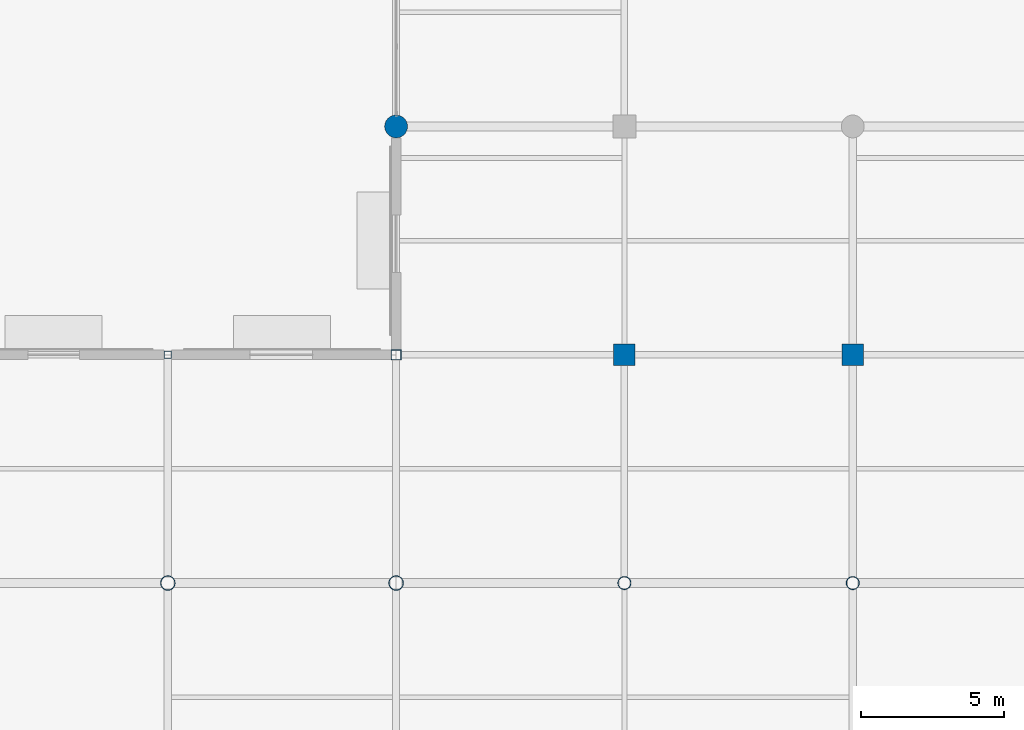
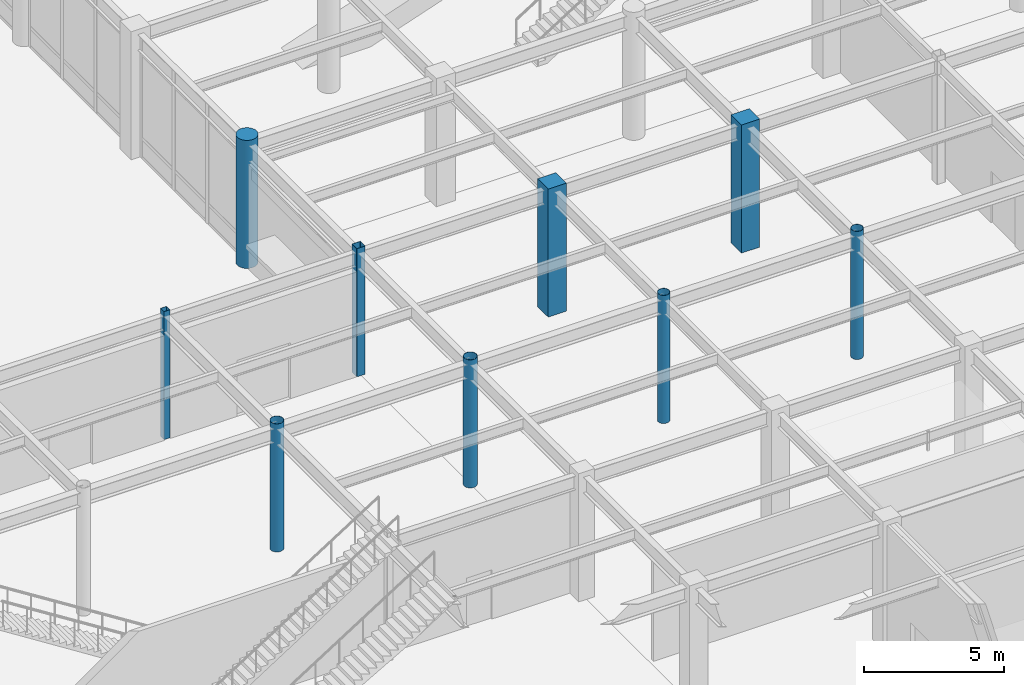
# One storey, part 9 of 128: 9 columns.
"""IFC4 building model written with IfcOpenShell, lengths in metres."""

from ifc_helpers import new_model, si_unit, direction, frame, origin, origin_2d, place, context, subcontext, project, spatial, rectangle, hollow_rectangle, circle, hollow_circle, extrude, material, material_profile, profile_set, type_object, element, save


model = new_model("IFC4")

# Units and contexts
model_context = context("Model", 3, precision=1e-05, world=origin(), true_north=direction((0.0, 1.0)))
body_context = subcontext(model_context, "Body", "Model", "MODEL_VIEW")
ifc_project = project(units=[si_unit("LENGTHUNIT", "METRE"), si_unit("AREAUNIT", "SQUARE_METRE"), si_unit("VOLUMEUNIT", "CUBIC_METRE"), si_unit("PLANEANGLEUNIT", "RADIAN"), si_unit("MASSUNIT", "GRAM", prefix="KILO")], contexts=[model_context])

# Site, building, storey
site_placement = place(None, origin())
site = spatial("IfcSite", under=ifc_project, at=site_placement, CompositionType="ELEMENT")
building_placement = place(site_placement, origin())
building = spatial("IfcBuilding", under=site, at=building_placement, Name="Solmirada Galleria", CompositionType="ELEMENT")
storey_placement = place(building_placement, origin())
storey = spatial("IfcBuildingStorey", under=building, at=storey_placement, Name="L00", CompositionType="ELEMENT", Elevation=0.0)

# Columns
ifc_material_1 = material(Name="Steel S355 / ASTM A500 Grade C", Category="steel")
ifc_material_profile_1 = material_profile(ifc_material_1, hollow_circle(Radius=0.228515625, WallThickness=0.01171875, at=origin_2d()), Name="HSS18.000X0.500")
ifc_profile_set_1 = profile_set([ifc_material_profile_1], Name="Steel S355 / ASTM A500 Grade C")
column_type_1 = type_object("IfcColumnType", Name="COL-CHS18", PredefinedType="COLUMN", material=ifc_profile_set_1)
for number, where, z_axis, x_axis, name in (
    (1, (88.0, 32.0, 0.0), (0.0, 0.0, 1.0), (1.0, 0.0, 0.0), "Structural column L00-0495"),
    (2, (96.0, 32.0, 0.0), (0.0, 0.0, 1.0), (1.0, 0.0, 0.0), "Structural column L00-0617"),
):
    element("IfcColumn", number, at=place(storey_placement, frame(where, z_axis=z_axis, x_axis=x_axis)), inside=storey, type_object=column_type_1, Name=name, PredefinedType="COLUMN", context=body_context, shape_type="SweptSolid", body=[
        extrude(hollow_circle(Radius=0.228515625, WallThickness=0.01171875, at=origin_2d()), origin(), (0.0, 0.0, 1.0), 5.60009765625),
    ])
ifc_material_profile_2 = material_profile(ifc_material_1, hollow_circle(Radius=0.25390625, WallThickness=0.01171875, at=origin_2d()), Name="HSS20.000X0.500")
ifc_profile_set_2 = profile_set([ifc_material_profile_2], Name="Steel S355 / ASTM A500 Grade C")
column_type_2 = type_object("IfcColumnType", Name="COL-CHS20", PredefinedType="COLUMN", material=ifc_profile_set_2)
for number, where, z_axis, x_axis, name in (
    (3, (72.0, 32.0, 0.0), (0.0, 0.0, 1.0), (1.0, 0.0, 0.0), "Structural column L00-0291"),
    (4, (80.0, 32.0, 0.0), (0.0, 0.0, 1.0), (1.0, 0.0, 0.0), "Structural column L00-0377"),
):
    element("IfcColumn", number, at=place(storey_placement, frame(where, z_axis=z_axis, x_axis=x_axis)), inside=storey, type_object=column_type_2, Name=name, PredefinedType="COLUMN", context=body_context, shape_type="SweptSolid", body=[
        extrude(hollow_circle(Radius=0.25390625, WallThickness=0.01171875, at=origin_2d()), origin(), (0.0, 0.0, 1.0), 5.60009765625),
    ])
ifc_material_2 = material(Name="Concrete C40/50", Category="concrete")
ifc_material_profile_3 = material_profile(ifc_material_2, circle(Radius=0.39990234375, at=origin_2d()), Name="RCCOL800")
ifc_profile_set_3 = profile_set([ifc_material_profile_3], Name="Concrete C40/50")
column_type_3 = type_object("IfcColumnType", Name="COL-CIR800", PredefinedType="COLUMN", material=ifc_profile_set_3)
column_1_placement = place(storey_placement, frame((80.0, 48.0, 0.0), z_axis=(0.0, 0.0, 1.0), x_axis=(1.0, 0.0, 0.0)))
element("IfcColumn", 5, at=column_1_placement, inside=storey, type_object=column_type_3, Name="Structural column L00-0388", PredefinedType="COLUMN", context=body_context, shape_type="SweptSolid", body=[
    extrude(circle(Radius=0.39990234375, at=origin_2d()), origin(), (0.0, 0.0, 1.0), 5.60009765625),
])
ifc_material_profile_4 = material_profile(ifc_material_1, hollow_rectangle(XDim=0.25390625, YDim=0.25390625, WallThickness=0.0087890625, InnerFilletRadius=0.0087890625, OuterFilletRadius=0.017822265625, at=origin_2d()), Name="HSS10X10X3/8")
ifc_profile_set_4 = profile_set([ifc_material_profile_4], Name="Steel S355 / ASTM A500 Grade C")
column_type_4 = type_object("IfcColumnType", Name="COL-HSS10", PredefinedType="COLUMN", material=ifc_profile_set_4)
column_2_placement = place(storey_placement, frame((72.0, 40.0, 0.0), z_axis=(0.0, 0.0, 1.0), x_axis=(1.0, 0.0, 0.0)))
element("IfcColumn", 6, at=column_2_placement, inside=storey, type_object=column_type_4, Name="Structural column L00-0298", PredefinedType="COLUMN", context=body_context, shape_type="SweptSolid", body=[
    extrude(hollow_rectangle(XDim=0.25390625, YDim=0.25390625, WallThickness=0.0087890625, InnerFilletRadius=0.0087890625, OuterFilletRadius=0.017822265625, at=origin_2d()), origin(), (0.0, 0.0, 1.0), 5.60009765625),
])
ifc_material_profile_5 = material_profile(ifc_material_1, hollow_rectangle(XDim=0.35595703125, YDim=0.35595703125, WallThickness=0.01171875, InnerFilletRadius=0.01171875, OuterFilletRadius=0.023681640625, at=origin_2d()), Name="HSS14X14X1/2")
ifc_profile_set_5 = profile_set([ifc_material_profile_5], Name="Steel S355 / ASTM A500 Grade C")
column_type_5 = type_object("IfcColumnType", Name="COL-HSS14", PredefinedType="COLUMN", material=ifc_profile_set_5)
column_3_placement = place(storey_placement, frame((80.0, 40.0, 0.0), z_axis=(0.0, 0.0, 1.0), x_axis=(1.0, 0.0, 0.0)))
element("IfcColumn", 7, at=column_3_placement, inside=storey, type_object=column_type_5, Name="Structural column L00-0384", PredefinedType="COLUMN", context=body_context, shape_type="SweptSolid", body=[
    extrude(hollow_rectangle(XDim=0.35595703125, YDim=0.35595703125, WallThickness=0.01171875, InnerFilletRadius=0.01171875, OuterFilletRadius=0.023681640625, at=origin_2d()), origin(), (0.0, 0.0, 1.0), 5.60009765625),
])
ifc_material_profile_6 = material_profile(ifc_material_2, rectangle(XDim=0.75, YDim=0.75, at=origin_2d()), Name="RC750X750")
ifc_profile_set_6 = profile_set([ifc_material_profile_6], Name="Concrete C40/50")
column_type_6 = type_object("IfcColumnType", Name="COL-RC750", PredefinedType="COLUMN", material=ifc_profile_set_6)
for number, where, z_axis, x_axis, name in (
    (8, (88.0, 40.0, 0.0), (0.0, 0.0, 1.0), (1.0, 0.0, 0.0), "Structural column L00-0503"),
    (9, (96.0, 40.0, 0.0), (0.0, 0.0, 1.0), (1.0, 0.0, 0.0), "Structural column L00-0625"),
):
    element("IfcColumn", number, at=place(storey_placement, frame(where, z_axis=z_axis, x_axis=x_axis)), inside=storey, type_object=column_type_6, Name=name, PredefinedType="COLUMN", context=body_context, shape_type="SweptSolid", body=[
        extrude(rectangle(XDim=0.75, YDim=0.75, at=origin_2d()), origin(), (0.0, 0.0, 1.0), 5.60009765625),
    ])

save(model, "model.ifc")
